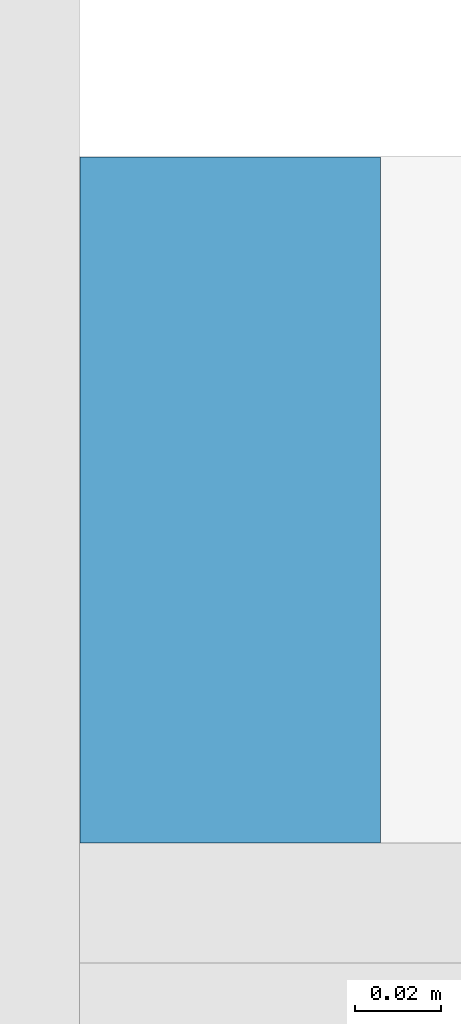
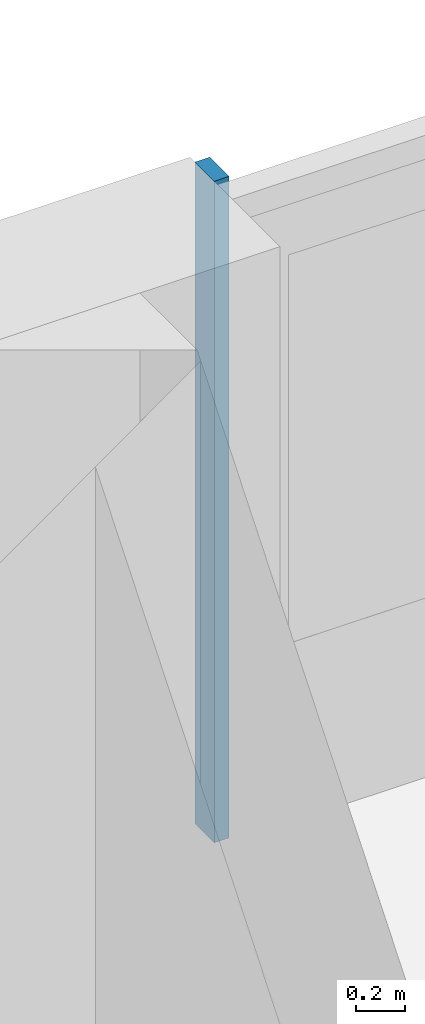
# One storey, part 9 of 27: 1 member, 1 element without a shape of its own.
"""IFC4 building model written with IfcOpenShell, lengths in metres."""

from ifc_helpers import new_model, si_unit, direction, frame, origin, origin_2d, place, context, subcontext, project, spatial, rectangle, extrude, material, material_profile, profile_set, type_object, element, aggregate, save


model = new_model("IFC4")

# Units and contexts
model_context = context("Model", 3, precision=1e-05, world=origin(), true_north=direction((0.0, 1.0)))
body_context = subcontext(model_context, "Body", "Model", "MODEL_VIEW")
ifc_project = project(units=[si_unit("LENGTHUNIT", "METRE"), si_unit("AREAUNIT", "SQUARE_METRE"), si_unit("VOLUMEUNIT", "CUBIC_METRE"), si_unit("PLANEANGLEUNIT", "RADIAN"), si_unit("MASSUNIT", "GRAM", prefix="KILO")], contexts=[model_context])

# Site, building, storey
site_placement = place(None, origin())
site = spatial("IfcSite", under=ifc_project, at=site_placement, CompositionType="ELEMENT")
building_placement = place(site_placement, origin())
building = spatial("IfcBuilding", under=site, at=building_placement, Name="Saffron Gate Tower", CompositionType="ELEMENT")
storey_placement = place(building_placement, frame((0.0, 0.0, 267.14990234375)))
storey = spatial("IfcBuildingStorey", under=building, at=storey_placement, Name="L64", CompositionType="ELEMENT", Elevation=267.14990234375)

# Curtain wall, member
ifc_material = material(Name="Aluminium, bronze anodised", Category="aluminium")
curtain_wall_type = type_object("IfcCurtainWallType", Name="CWS3 curtain wall rear facade", PredefinedType="NOTDEFINED", material=ifc_material)
curtain_wall_placement = place(storey_placement, origin())
curtain_wall = element("IfcCurtainWall", 1, at=curtain_wall_placement, inside=storey, type_object=curtain_wall_type, Name="CWS3 run 7", PredefinedType="NOTDEFINED")
ifc_material_profile = material_profile(ifc_material, rectangle(XDim=0.159912109375, YDim=0.070068359375, at=origin_2d()))
ifc_profile_set = profile_set([ifc_material_profile], Name="Aluminium, bronze anodised")
member_type = type_object("IfcMemberType", Name="CWS3 mullion 70x160", PredefinedType="MULLION", material=ifc_profile_set)
member_placement = place(storey_placement, frame((108.60009765625, 75.52001953125, 0.0), z_axis=(0.0, 0.0, 1.0), x_axis=(0.0, -1.0, 0.0)))
member = element("IfcMember", 2, at=member_placement, type_object=member_type, Name="CWS3 mullion 3", PredefinedType="MULLION", context=body_context, shape_type="SweptSolid", body=[
    extrude(rectangle(XDim=0.159912109375, YDim=0.070068359375, at=origin_2d()), origin(), (0.0, 0.0, 1.0), 3.320068359375),
])
aggregate(curtain_wall, [member])

save(model, "model.ifc")
